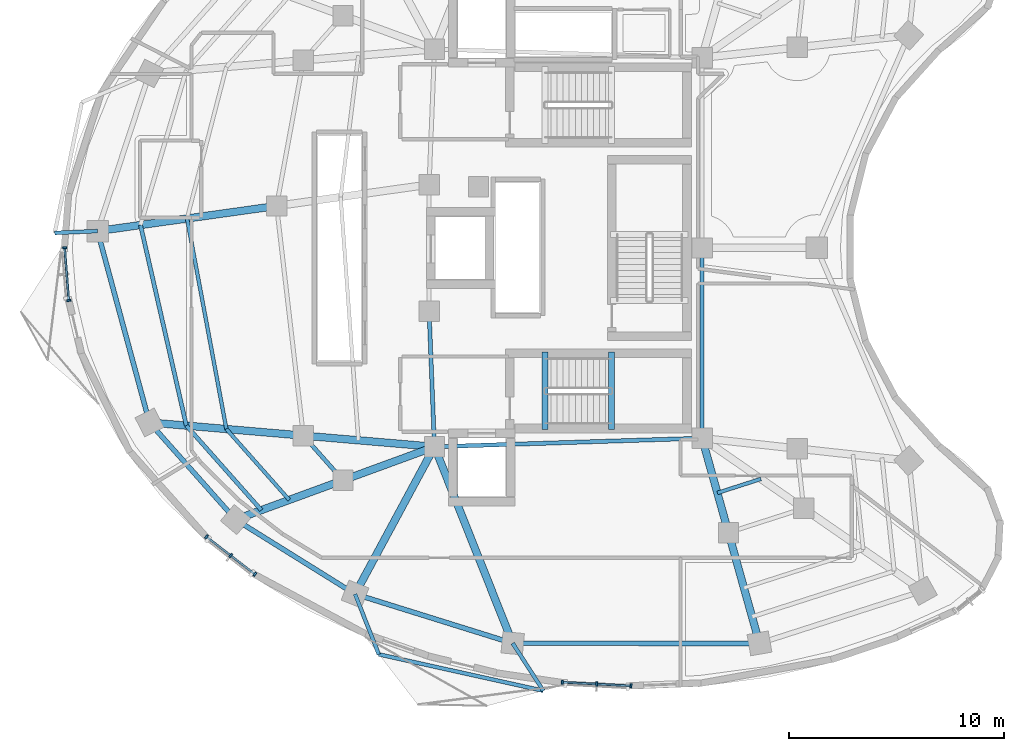
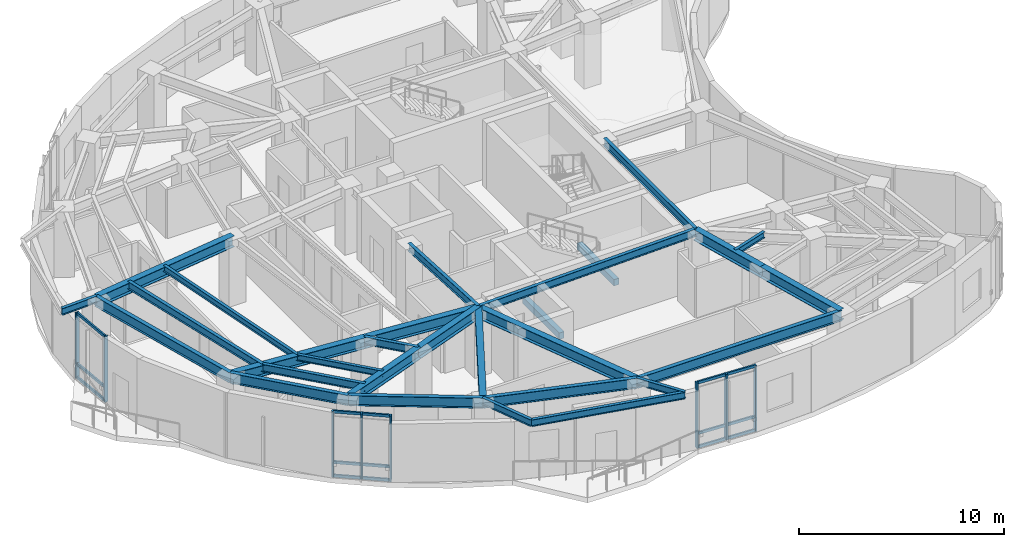
# One storey, part 2 of 13: 29 beams, 23 members, 3 elements without a shape of their own.
"""IFC4 building model written with IfcOpenShell, lengths in metres."""

import ifcopenshell
import ifcopenshell.guid

model = None  # the IFC model being written
_history = None  # IfcOwnerHistory: only IFC2X3 demands one
_inside = {}  # id of a spatial element -> (the spatial element, [elements in it])
_under = {}  # id of a project, library or spatial element -> (it, [spatial elements below it])
_declared = {}  # id of a project -> (the project, [libraries it declares])
_typed = {}  # id of a type object -> (the type object, [elements of that type])
_made_of = {}  # id of a material, layer set ... -> (it, [elements and type objects made of it])


def new_model(schema):
    """Start an empty IFC model of exactly this schema.

    Asked for "IFC4X3", IfcOpenShell would pick the latest addendum, in which some entities
    have other attributes; the version numbers below select the first issue.
    IFC2X3 requires an IfcOwnerHistory on every rooted entity: one is made here for all.
    """
    global model, _history
    if schema == "IFC4X3":
        model = ifcopenshell.file(schema_version=(4, 3, 0, 0))
    else:
        model = ifcopenshell.file(schema=schema)
    _inside.clear()
    _under.clear()
    _declared.clear()
    _typed.clear()
    _made_of.clear()
    _history = None
    if model.schema == "IFC2X3":
        org = make("IfcOrganization", Name="unknown")
        user = make(
            "IfcPersonAndOrganization",
            ThePerson=make("IfcPerson", FamilyName="unknown"),
            TheOrganization=org,
        )
        app = make(
            "IfcApplication",
            ApplicationDeveloper=org,
            Version="unknown",
            ApplicationFullName="unknown",
            ApplicationIdentifier="unknown",
        )
        _history = make(
            "IfcOwnerHistory",
            OwningUser=user,
            OwningApplication=app,
            ChangeAction="ADDED",
            CreationDate=0,
        )
    return model


def make(cls, **values):
    """One entity of the class cls with the attributes given. An attribute that is None is left unset."""
    return model.create_entity(
        cls, **{name: value for name, value in values.items() if value is not None}
    )


def rooted(cls, **values):
    """An entity with a GlobalId (a new one), such as an element, a storey or a relation."""
    return make(cls, GlobalId=ifcopenshell.guid.new(), OwnerHistory=_history, **values)


def si_unit(unit_type, name, prefix=None):
    """IfcSIUnit, for example si_unit("LENGTHUNIT", "METRE", prefix="MILLI")."""
    return make("IfcSIUnit", UnitType=unit_type, Prefix=prefix, Name=name)


def assignment(units):
    """IfcUnitAssignment: the units of a project."""
    return None if units is None else make("IfcUnitAssignment", Units=units)


def point(xyz):
    """IfcCartesianPoint."""
    return None if xyz is None else make("IfcCartesianPoint", Coordinates=xyz)


def direction(xyz):
    """IfcDirection."""
    return None if xyz is None else make("IfcDirection", DirectionRatios=xyz)


def frame(location, z_axis=None, x_axis=None):
    """IfcAxis2Placement3D, a coordinate frame: its origin and axes. An axis left out is left unset."""
    return make(
        "IfcAxis2Placement3D",
        Location=point(location),
        Axis=direction(z_axis),
        RefDirection=direction(x_axis),
    )


def frame_2d(location, x_axis=None):
    """IfcAxis2Placement2D, a coordinate frame in the plane: its origin and x axis."""
    return make(
        "IfcAxis2Placement2D", Location=point(location), RefDirection=direction(x_axis)
    )


def origin():
    """The frame at (0, 0, 0) with its axes left unset."""
    return frame((0.0, 0.0, 0.0))


def origin_2d():
    """The frame at (0, 0) in the plane with its x axis left unset."""
    return frame_2d((0.0, 0.0))


def place(relative_to, where):
    """IfcLocalPlacement: puts the frame where relative to a parent placement (None: the world)."""
    return make(
        "IfcLocalPlacement", PlacementRelTo=relative_to, RelativePlacement=where
    )


def context(
    kind, dimensions, precision=None, world=None, true_north=None, identifier=None
):
    """IfcGeometricRepresentationContext, for example the 3D "Model" context."""
    return make(
        "IfcGeometricRepresentationContext",
        ContextIdentifier=identifier,
        ContextType=kind,
        CoordinateSpaceDimension=dimensions,
        Precision=precision,
        WorldCoordinateSystem=world,
        TrueNorth=true_north,
    )


def subcontext(parent, identifier, kind, view, scale=None):
    """IfcGeometricRepresentationSubContext, for example "Body" below "Model"."""
    return make(
        "IfcGeometricRepresentationSubContext",
        ContextIdentifier=identifier,
        ContextType=kind,
        ParentContext=parent,
        TargetScale=scale,
        TargetView=view,
    )


def project(units=None, contexts=None):
    """IfcProject with its units and contexts."""
    return rooted(
        "IfcProject",
        Name="project",
        RepresentationContexts=contexts,
        UnitsInContext=assignment(units),
    )


def spatial(cls, under=None, at=None, **own):
    """A site, building, storey or space (cls), placed at a placement, below another one or the project."""
    s = rooted(cls, ObjectPlacement=at, **own)
    if under is not None:
        _under.setdefault(under.id(), (under, []))[1].append(s)
    return s


def profile(cls, at=None, kind="AREA", **sizes):
    """A parametric profile (cls). Its sizes go by their IFC names, for example OverallWidth=200.0."""
    return make(cls, ProfileType=kind, Position=at, **sizes)


def rectangle(**sizes):
    """IfcRectangleProfileDef."""
    return profile("IfcRectangleProfileDef", **sizes)


def i_section(**sizes):
    """IfcIShapeProfileDef."""
    return profile("IfcIShapeProfileDef", **sizes)


def extrude(swept, where, along, depth):
    """IfcExtrudedAreaSolid: the profile swept, set in the frame where, extruded along a direction by depth."""
    return make(
        "IfcExtrudedAreaSolid",
        SweptArea=swept,
        Position=where,
        ExtrudedDirection=direction(along),
        Depth=depth,
    )


def shape(context_of_items, identifier, shape_type, items):
    """IfcShapeRepresentation: the items that make up one representation, for example the "Body"."""
    return make(
        "IfcShapeRepresentation",
        ContextOfItems=context_of_items,
        RepresentationIdentifier=identifier,
        RepresentationType=shape_type,
        Items=items,
    )


def material(Name=None, Category=None):
    """IfcMaterial."""
    return make("IfcMaterial", Name=Name, Category=Category)


def layer(
    of_material, thickness, ventilated=None, Name=None, Category=None, Priority=None
):
    """IfcMaterialLayer: one layer of a wall or slab, of a material (None: an air gap)."""
    return make(
        "IfcMaterialLayer",
        Material=of_material,
        LayerThickness=thickness,
        IsVentilated=ventilated,
        Name=Name,
        Category=Category,
        Priority=Priority,
    )


def layer_set(layers, Name=None):
    """IfcMaterialLayerSet."""
    return make("IfcMaterialLayerSet", MaterialLayers=layers, LayerSetName=Name)


def material_profile(
    of_material, cross_section, Name=None, Category=None, Priority=None
):
    """IfcMaterialProfile: a cross section and its material."""
    return make(
        "IfcMaterialProfile",
        Name=Name,
        Material=of_material,
        Profile=cross_section,
        Priority=Priority,
        Category=Category,
    )


def profile_set(profiles, Name=None, composite=None):
    """IfcMaterialProfileSet."""
    return make(
        "IfcMaterialProfileSet",
        Name=Name,
        MaterialProfiles=profiles,
        CompositeProfile=composite,
    )


def made_of(thing, what):
    """Note that an element or type object is made of a material, layer set ...; save() writes the relation."""
    if what is not None:
        _made_of.setdefault(what.id(), (what, []))[1].append(thing)
    return thing


def type_object(cls, material=None, **own):
    """A type object (cls), such as IfcWallType, which elements share."""
    return made_of(rooted(cls, **own), material)


def element(
    cls,
    number,
    at=None,
    inside=None,
    cuts=None,
    type_object=None,
    material=None,
    context=None,
    identifier="Body",
    shape_type=None,
    held_by="IfcProductDefinitionShape",
    body=None,
    shapes=None,
    **own,
):
    """One element of the class cls, such as IfcWall. Its Tag is "e" and its number.

    at: its placement. inside: the storey or other place that contains it. cuts: it is an
    opening in that element (IfcRelVoidsElement). A single representation is given by context,
    identifier, shape_type and body (its items); several are given by shapes. held_by: the class
    of the entity that holds the representations. save() writes the other relations.
    """
    e = rooted(cls, Tag="e%d" % number, ObjectPlacement=at, **own)
    if body is not None:
        shapes = [shape(context, identifier, shape_type, body)]
    if shapes is not None:
        e.Representation = make(held_by, Representations=shapes)
    if inside is not None:
        _inside.setdefault(inside.id(), (inside, []))[1].append(e)
    if cuts is not None:
        rooted(
            "IfcRelVoidsElement", RelatingBuildingElement=cuts, RelatedOpeningElement=e
        )
    if type_object is not None:
        _typed.setdefault(type_object.id(), (type_object, []))[1].append(e)
    return made_of(e, material)


def aggregate(whole, parts):
    """IfcRelAggregates: a whole, such as a stair, and the parts it consists of."""
    return rooted("IfcRelAggregates", RelatingObject=whole, RelatedObjects=parts)


def save(model, path):
    """Write the relations noted so far, then the file.

    IfcRelAggregates (storeys below a building ...), IfcRelContainedInSpatialStructure (elements
    in a storey), IfcRelDefinesByType, IfcRelAssociatesMaterial and IfcRelDeclares: one each for
    every whole, place, type object, material and project.
    """
    for whole, parts in _under.values():
        aggregate(whole, parts)
    for where, things in _inside.values():
        rooted(
            "IfcRelContainedInSpatialStructure",
            RelatedElements=things,
            RelatingStructure=where,
        )
    for kind, things in _typed.values():
        rooted("IfcRelDefinesByType", RelatedObjects=things, RelatingType=kind)
    for what, things in _made_of.values():
        rooted("IfcRelAssociatesMaterial", RelatedObjects=things, RelatingMaterial=what)
    for by, libraries in _declared.values():
        rooted("IfcRelDeclares", RelatingContext=by, RelatedDefinitions=libraries)
    model.write(path)


model = new_model("IFC4")

# Units and contexts
model_context = context("Model", 3, precision=1e-05, world=origin(), true_north=direction((0.0, 1.0)))
body_context = subcontext(model_context, "Body", "Model", "MODEL_VIEW")
ifc_project = project(units=[si_unit("LENGTHUNIT", "METRE"), si_unit("AREAUNIT", "SQUARE_METRE"), si_unit("VOLUMEUNIT", "CUBIC_METRE"), si_unit("PLANEANGLEUNIT", "RADIAN"), si_unit("MASSUNIT", "GRAM", prefix="KILO")], contexts=[model_context])

# Site, building, storey
site_placement = place(None, origin())
site = spatial("IfcSite", under=ifc_project, at=site_placement, CompositionType="ELEMENT")
building_placement = place(site_placement, origin())
building = spatial("IfcBuilding", under=site, at=building_placement, Name="Korentha Bioscience Tower", CompositionType="ELEMENT")
storey_placement = place(building_placement, frame((0.0, 0.0, 175.199951171875)))
storey = spatial("IfcBuildingStorey", under=building, at=storey_placement, Name="L40", CompositionType="ELEMENT", Elevation=175.199951171875)

# Beams
ifc_material_1 = material(Name="Concrete C50", Category="concrete")
ifc_material_profile_1 = material_profile(ifc_material_1, rectangle(XDim=0.280029296875, YDim=0.3798828125, at=origin_2d()), Name="Concrete C50")
ifc_profile_set_1 = profile_set([ifc_material_profile_1], Name="Concrete C50 (ST-HB380)")
beam_type_1 = type_object("IfcBeamType", Name="Concrete Stair Header Beam RC 280x380", PredefinedType="BEAM", material=ifc_profile_set_1)
for number, where, z_axis, x_axis, name in (
    (1, (30.25, 18.550048828125, -0.18994140625), (0.0, 1.0, 0.0), (-1.0, 0.0, 0.0), "L40 ST-2 Concrete Stair Header Beam"),
    (2, (33.330078125, 18.550048828125, 1.91015625), (0.0, 1.0, 0.0), (-1.0, 0.0, 0.0), "L40 ST-2 Half-Landing Header Beam 1"),
):
    element("IfcBeam", number, at=place(storey_placement, frame(where, z_axis=z_axis, x_axis=x_axis)), inside=storey, type_object=beam_type_1, Name=name, PredefinedType="BEAM", context=body_context, shape_type="SweptSolid", body=[
        extrude(rectangle(XDim=0.280029296875, YDim=0.3798828125, at=origin_2d()), origin(), (0.0, 0.0, 1.0), 3.599853515625),
    ])
ifc_material_2 = material(Name="Steel S355", Category="steel")
ifc_material_profile_2 = material_profile(ifc_material_2, i_section(OverallWidth=0.18994140625, OverallDepth=0.45703125, WebThickness=0.009033203125, FlangeThickness=0.014404296875, at=origin_2d()), Name="Steel S355")
ifc_profile_set_2 = profile_set([ifc_material_profile_2], Name="Steel S355 (MB-460)")
beam_type_2 = type_object("IfcBeamType", Name="Mid-Ring Tie Girder W460x74", PredefinedType="BEAM", material=ifc_profile_set_2)
beam_1_placement = place(storey_placement, frame((18.99951171875, 18.27001953125, 3.671630859375), z_axis=(0.663512238321, -0.748165429299, 0.0), x_axis=(0.748165429299, 0.663512238321, 0.0)))
element("IfcBeam", 3, at=beam_1_placement, inside=storey, type_object=beam_type_2, Name="L40 Mid-Ring Tie Girder 08", PredefinedType="BEAM", context=body_context, shape_type="SweptSolid", body=[
    extrude(i_section(OverallWidth=0.18994140625, OverallDepth=0.45703125, WebThickness=0.009033203125, FlangeThickness=0.014404296875, at=origin_2d()), origin(), (0.0, 0.0, 1.0), 2.77734375),
])
beam_2_placement = place(storey_placement, frame((24.85009765625, 24.050048828125, 3.671630859375), z_axis=(0.039651025576, -0.999213588864, 0.0), x_axis=(0.999213588864, 0.039651025576, 0.0)))
element("IfcBeam", 4, at=beam_2_placement, inside=storey, type_object=beam_type_2, Name="L40 Core Ring Tie Girder 04", PredefinedType="BEAM", context=body_context, shape_type="SweptSolid", body=[
    extrude(i_section(OverallWidth=0.18994140625, OverallDepth=0.45703125, WebThickness=0.009033203125, FlangeThickness=0.014404296875, at=origin_2d()), origin(), (0.0, 0.0, 1.0), 6.304931640625),
])
beam_3_placement = place(storey_placement, frame((25.10009765625, 17.75, 3.671630859375), z_axis=(0.999484526071, 0.032104238723, 0.0), x_axis=(-0.032104238723, 0.999484526071, 0.0)))
element("IfcBeam", 5, at=beam_3_placement, inside=storey, type_object=beam_type_2, Name="L40 Core Ring Tie Girder 05", PredefinedType="BEAM", context=body_context, shape_type="SweptSolid", body=[
    extrude(i_section(OverallWidth=0.18994140625, OverallDepth=0.45703125, WebThickness=0.009033203125, FlangeThickness=0.014404296875, at=origin_2d()), origin(), (0.0, 0.0, 1.0), 12.456298828125),
])
beam_4_placement = place(storey_placement, frame((37.550048828125, 18.14990234375, 3.671630859375), z_axis=(0.0, 1.0, 0.0), x_axis=(-1.0, 0.0, 0.0)))
element("IfcBeam", 6, at=beam_4_placement, inside=storey, type_object=beam_type_2, Name="L40 Core Ring Tie Girder 06", PredefinedType="BEAM", context=body_context, shape_type="SweptSolid", body=[
    extrude(i_section(OverallWidth=0.18994140625, OverallDepth=0.45703125, WebThickness=0.009033203125, FlangeThickness=0.014404296875, at=origin_2d()), origin(), (0.0, 0.0, 1.0), 8.85009765625),
])

# Curtain wall, members
ifc_material_3 = material(Name="Thermally Broken Aluminium Frame", Category="aluminium")
ifc_layer = layer(ifc_material_3, 0.219970703125, Name="Thermally Broken Aluminium Frame")
ifc_layer_set = layer_set([ifc_layer], Name="Thermally Broken Aluminium Frame (CW-T2)")
curtain_wall_type = type_object("IfcCurtainWallType", Name="Solar-Screened Lab Unitised Curtain Wall CW-T2", PredefinedType="USERDEFINED", material=ifc_layer_set)
curtain_wall_1_placement = place(storey_placement, origin())
curtain_wall_1 = element("IfcCurtainWall", 7, at=curtain_wall_1_placement, inside=storey, type_object=curtain_wall_type, Name="L40 Curtain Wall 19", ObjectType="UNITISED", PredefinedType="USERDEFINED")
ifc_material_4 = material(Name="Anodised Aluminium 6063-T6", Category="aluminium")
ifc_material_profile_3 = material_profile(ifc_material_4, rectangle(XDim=0.090087890625, YDim=0.199951171875, at=origin_2d()), Name="Anodised Aluminium 6063-T6")
ifc_profile_set_3 = profile_set([ifc_material_profile_3], Name="Anodised Aluminium 6063-T6 (CW-MUL)")
member_type_1 = type_object("IfcMemberType", Name="Mullion RECT 90x200", PredefinedType="MULLION", material=ifc_profile_set_3)
member_1_placement = place(storey_placement, frame((7.89599609375, 27.007568359375, 0.0), z_axis=(0.0, 0.0, 1.0), x_axis=(0.078030772566, -0.996950950916, 0.0)))
member_1 = element("IfcMember", 8, at=member_1_placement, type_object=member_type_1, Name="CW-L40-19 Mullion 1", PredefinedType="MULLION", context=body_context, shape_type="SweptSolid", body=[
    extrude(rectangle(XDim=0.090087890625, YDim=0.199951171875, at=origin_2d()), origin(), (0.0, 0.0, 1.0), 3.900146484375),
])
member_2_placement = place(storey_placement, frame((8.087890625, 24.5546875, 0.0), z_axis=(0.0, 0.0, 1.0), x_axis=(0.078030772566, -0.996950950916, 0.0)))
member_2 = element("IfcMember", 9, at=member_2_placement, type_object=member_type_1, Name="CW-L40-19 Mullion 2", PredefinedType="MULLION", context=body_context, shape_type="SweptSolid", body=[
    extrude(rectangle(XDim=0.090087890625, YDim=0.199951171875, at=origin_2d()), origin(), (0.0, 0.0, 1.0), 3.900146484375),
])

curtain_wall_2_placement = place(storey_placement, origin())
curtain_wall_2 = element("IfcCurtainWall", 10, at=curtain_wall_2_placement, inside=storey, type_object=curtain_wall_type, Name="L40 Curtain Wall 25", ObjectType="UNITISED", PredefinedType="USERDEFINED")
member_3_placement = place(storey_placement, frame((14.492431640625, 13.563232421875, 0.0), z_axis=(0.0, 0.0, 1.0), x_axis=(0.790546796919, -0.612401634454, 0.0)))
member_3 = element("IfcMember", 11, at=member_3_placement, type_object=member_type_1, Name="CW-L40-25 Mullion 1", PredefinedType="MULLION", context=body_context, shape_type="SweptSolid", body=[
    extrude(rectangle(XDim=0.090087890625, YDim=0.199951171875, at=origin_2d()), origin(), (0.0, 0.0, 1.0), 3.900146484375),
])
member_4_placement = place(storey_placement, frame((15.618896484375, 12.690673828125, 0.0), z_axis=(0.0, 0.0, 1.0), x_axis=(0.790546796919, -0.612401634454, 0.0)))
member_4 = element("IfcMember", 12, at=member_4_placement, type_object=member_type_1, Name="CW-L40-25 Mullion 2", PredefinedType="MULLION", context=body_context, shape_type="SweptSolid", body=[
    extrude(rectangle(XDim=0.090087890625, YDim=0.199951171875, at=origin_2d()), origin(), (0.0, 0.0, 1.0), 3.900146484375),
])
member_5_placement = place(storey_placement, frame((16.745361328125, 11.818115234375, 0.0), z_axis=(0.0, 0.0, 1.0), x_axis=(0.790546796919, -0.612401634454, 0.0)))
member_5 = element("IfcMember", 13, at=member_5_placement, type_object=member_type_1, Name="CW-L40-25 Mullion 3", PredefinedType="MULLION", context=body_context, shape_type="SweptSolid", body=[
    extrude(rectangle(XDim=0.090087890625, YDim=0.199951171875, at=origin_2d()), origin(), (0.0, 0.0, 1.0), 3.900146484375),
])

curtain_wall_3_placement = place(storey_placement, origin())
curtain_wall_3 = element("IfcCurtainWall", 14, at=curtain_wall_3_placement, inside=storey, type_object=curtain_wall_type, Name="L40 Curtain Wall 31", ObjectType="UNITISED", PredefinedType="USERDEFINED")
member_6_placement = place(storey_placement, frame((31.0517578125, 6.79541015625, 0.0), z_axis=(0.0, 0.0, 1.0), x_axis=(0.998637677307, -0.052180355139, 0.0)))
member_6 = element("IfcMember", 15, at=member_6_placement, type_object=member_type_1, Name="CW-L40-31 Mullion 1", PredefinedType="MULLION", context=body_context, shape_type="SweptSolid", body=[
    extrude(rectangle(XDim=0.090087890625, YDim=0.199951171875, at=origin_2d()), origin(), (0.0, 0.0, 1.0), 3.900146484375),
])
member_7_placement = place(storey_placement, frame((32.64794921875, 6.7119140625, 0.0), z_axis=(0.0, 0.0, 1.0), x_axis=(0.998637677307, -0.052180355139, 0.0)))
member_7 = element("IfcMember", 16, at=member_7_placement, type_object=member_type_1, Name="CW-L40-31 Mullion 2", PredefinedType="MULLION", context=body_context, shape_type="SweptSolid", body=[
    extrude(rectangle(XDim=0.090087890625, YDim=0.199951171875, at=origin_2d()), origin(), (0.0, 0.0, 1.0), 3.900146484375),
])
member_8_placement = place(storey_placement, frame((34.244140625, 6.628662109375, 0.0), z_axis=(0.0, 0.0, 1.0), x_axis=(0.998637677307, -0.052180355139, 0.0)))
member_8 = element("IfcMember", 17, at=member_8_placement, type_object=member_type_1, Name="CW-L40-31 Mullion 3", PredefinedType="MULLION", context=body_context, shape_type="SweptSolid", body=[
    extrude(rectangle(XDim=0.090087890625, YDim=0.199951171875, at=origin_2d()), origin(), (0.0, 0.0, 1.0), 3.900146484375),
])

# Beams
ifc_material_profile_4 = material_profile(ifc_material_2, i_section(OverallWidth=0.22802734375, OverallDepth=0.60791015625, WebThickness=0.01123046875, FlangeThickness=0.017333984375, at=origin_2d()), Name="Steel S355")
ifc_profile_set_4 = profile_set([ifc_material_profile_4], Name="Steel S355 (SB-610)")
beam_type_3 = type_object("IfcBeamType", Name="Perimeter Ring Spandrel Girder W610x113", PredefinedType="SPANDREL", material=ifc_profile_set_4)
beam_5_placement = place(storey_placement, frame((9.422607421875, 27.785888671875, 3.595947265625), z_axis=(0.261762629829, -0.965132284003, 0.0), x_axis=(0.965132284003, 0.261762629829, 0.0)))
element("IfcBeam", 18, at=beam_5_placement, inside=storey, type_object=beam_type_3, Name="L40 Perimeter Spandrel Girder 07", PredefinedType="SPANDREL", context=body_context, shape_type="SweptSolid", body=[
    extrude(i_section(OverallWidth=0.22802734375, OverallDepth=0.60791015625, WebThickness=0.01123046875, FlangeThickness=0.017333984375, at=origin_2d()), origin(), (0.0, 0.0, 1.0), 9.22705078125),
])
beam_6_placement = place(storey_placement, frame((11.837890625, 18.880615234375, 3.595947265625), z_axis=(0.663502544942, -0.748174025782, 0.0), x_axis=(0.748174025782, 0.663502544942, 0.0)))
element("IfcBeam", 19, at=beam_6_placement, inside=storey, type_object=beam_type_3, Name="L40 Perimeter Spandrel Girder 08", PredefinedType="SPANDREL", context=body_context, shape_type="SweptSolid", body=[
    extrude(i_section(OverallWidth=0.22802734375, OverallDepth=0.60791015625, WebThickness=0.01123046875, FlangeThickness=0.017333984375, at=origin_2d()), origin(), (0.0, 0.0, 1.0), 6.037841796875),
])
beam_7_placement = place(storey_placement, frame((15.843994140625, 14.36328125, 3.595947265625), z_axis=(0.848675740059, -0.528913497876, 0.0), x_axis=(0.528913497876, 0.848675740059, 0.0)))
element("IfcBeam", 20, at=beam_7_placement, inside=storey, type_object=beam_type_3, Name="L40 Perimeter Spandrel Girder 09", PredefinedType="SPANDREL", context=body_context, shape_type="SweptSolid", body=[
    extrude(i_section(OverallWidth=0.22802734375, OverallDepth=0.60791015625, WebThickness=0.01123046875, FlangeThickness=0.017333984375, at=origin_2d()), origin(), (0.0, 0.0, 1.0), 6.55322265625),
])
beam_8_placement = place(storey_placement, frame((21.405517578125, 10.897216796875, 3.595947265625), z_axis=(0.954638172607, -0.29776829818, 0.0), x_axis=(0.29776829818, 0.954638172607, 0.0)))
element("IfcBeam", 21, at=beam_8_placement, inside=storey, type_object=beam_type_3, Name="L40 Perimeter Spandrel Girder 10", PredefinedType="SPANDREL", context=body_context, shape_type="SweptSolid", body=[
    extrude(i_section(OverallWidth=0.22802734375, OverallDepth=0.60791015625, WebThickness=0.01123046875, FlangeThickness=0.017333984375, at=origin_2d()), origin(), (0.0, 0.0, 1.0), 7.682373046875),
])
beam_9_placement = place(storey_placement, frame((28.739501953125, 8.609619140625, 3.595947265625), z_axis=(0.99999988041, -0.000489059883, 0.0), x_axis=(0.000489059883, 0.99999988041, 0.0)))
element("IfcBeam", 22, at=beam_9_placement, inside=storey, type_object=beam_type_3, Name="L40 Perimeter Spandrel Girder 11", PredefinedType="SPANDREL", context=body_context, shape_type="SweptSolid", body=[
    extrude(i_section(OverallWidth=0.22802734375, OverallDepth=0.60791015625, WebThickness=0.01123046875, FlangeThickness=0.017333984375, at=origin_2d()), origin(), (0.0, 0.0, 1.0), 11.481689453125),
])
ifc_material_profile_5 = material_profile(ifc_material_2, i_section(OverallWidth=0.18994140625, OverallDepth=0.45703125, WebThickness=0.009033203125, FlangeThickness=0.014404296875, at=origin_2d()), Name="Steel S355")
ifc_profile_set_5 = profile_set([ifc_material_profile_5], Name="Steel S355 (RB-460)")
beam_type_4 = type_object("IfcBeamType", Name="Radial Laboratory Beam W460x74", PredefinedType="BEAM", material=ifc_profile_set_5)
beam_10_placement = place(storey_placement, frame((11.421875, 28.06640625, 3.671630859375), z_axis=(0.222990987745, -0.974820506239, 0.0), x_axis=(0.974820506239, 0.222990987745, 0.0)))
element("IfcBeam", 23, at=beam_10_placement, inside=storey, type_object=beam_type_4, Name="L40 Secondary Floor Beam JSTO-07", PredefinedType="BEAM", context=body_context, shape_type="SweptSolid", body=[
    extrude(i_section(OverallWidth=0.18994140625, OverallDepth=0.45703125, WebThickness=0.009033203125, FlangeThickness=0.014404296875, at=origin_2d()), origin(), (0.0, 0.0, 1.0), 9.5732421875),
])
beam_11_placement = place(storey_placement, frame((13.556640625, 18.734130859375, 3.671630859375), z_axis=(0.663495511182, -0.748180263467, 0.0), x_axis=(0.748180263467, 0.663495511182, 0.0)))
element("IfcBeam", 24, at=beam_11_placement, inside=storey, type_object=beam_type_4, Name="L40 Secondary Floor Beam JSTO-08", PredefinedType="BEAM", context=body_context, shape_type="SweptSolid", body=[
    extrude(i_section(OverallWidth=0.18994140625, OverallDepth=0.45703125, WebThickness=0.009033203125, FlangeThickness=0.014404296875, at=origin_2d()), origin(), (0.0, 0.0, 1.0), 5.255615234375),
])
ifc_material_profile_6 = material_profile(ifc_material_2, i_section(OverallWidth=0.35009765625, OverallDepth=0.64990234375, WebThickness=0.01611328125, FlangeThickness=0.02490234375, at=origin_2d()), Name="Steel S355")
ifc_profile_set_6 = profile_set([ifc_material_profile_6], Name="Steel S355 (RB-650)")
beam_type_5 = type_object("IfcBeamType", Name="Radial Laboratory Girder CVS 650x208", PredefinedType="BEAM", material=ifc_profile_set_6)
beam_12_placement = place(storey_placement, frame((17.75341796875, 28.95458984375, 3.574951171875), z_axis=(-0.990302735089, -0.138926213782, 0.0), x_axis=(0.138926213782, -0.990302735089, 0.0)))
element("IfcBeam", 25, at=beam_12_placement, inside=storey, type_object=beam_type_5, Name="L40 Outer Radial Girder 07", PredefinedType="BEAM", context=body_context, shape_type="SweptSolid", body=[
    extrude(i_section(OverallWidth=0.35009765625, OverallDepth=0.64990234375, WebThickness=0.01611328125, FlangeThickness=0.02490234375, at=origin_2d()), origin(), (0.0, 0.0, 1.0), 8.412353515625),
])
beam_13_placement = place(storey_placement, frame((25.10009765625, 17.75, 3.574951171875), z_axis=(-0.996386672138, 0.084932912264, 0.0), x_axis=(-0.084932912264, -0.996386672138, 0.0)))
element("IfcBeam", 26, at=beam_13_placement, inside=storey, type_object=beam_type_5, Name="L40 Inner Radial Girder 08", PredefinedType="BEAM", context=body_context, shape_type="SweptSolid", body=[
    extrude(i_section(OverallWidth=0.35009765625, OverallDepth=0.64990234375, WebThickness=0.01611328125, FlangeThickness=0.02490234375, at=origin_2d()), origin(), (0.0, 0.0, 1.0), 6.122802734375),
])
beam_14_placement = place(storey_placement, frame((18.99951171875, 18.27001953125, 3.574951171875), z_axis=(-0.996385111181, 0.084951222577, 0.0), x_axis=(-0.084951222577, -0.996385111181, 0.0)))
element("IfcBeam", 27, at=beam_14_placement, inside=storey, type_object=beam_type_5, Name="L40 Outer Radial Girder 08", PredefinedType="BEAM", context=body_context, shape_type="SweptSolid", body=[
    extrude(i_section(OverallWidth=0.35009765625, OverallDepth=0.64990234375, WebThickness=0.01611328125, FlangeThickness=0.02490234375, at=origin_2d()), origin(), (0.0, 0.0, 1.0), 7.1875),
])
beam_15_placement = place(storey_placement, frame((25.10009765625, 17.75, 3.574951171875), z_axis=(-0.939113952431, -0.343605856105, 0.0), x_axis=(0.343605856105, -0.939113952431, 0.0)))
element("IfcBeam", 28, at=beam_15_placement, inside=storey, type_object=beam_type_5, Name="L40 Inner Radial Girder 09", PredefinedType="BEAM", context=body_context, shape_type="SweptSolid", body=[
    extrude(i_section(OverallWidth=0.35009765625, OverallDepth=0.64990234375, WebThickness=0.01611328125, FlangeThickness=0.02490234375, at=origin_2d()), origin(), (0.0, 0.0, 1.0), 4.533935546875),
])
beam_16_placement = place(storey_placement, frame((20.84228515625, 16.192138671875, 3.574951171875), z_axis=(-0.939109855566, -0.343617053097, 0.0), x_axis=(0.343617053097, -0.939109855566, 0.0)))
element("IfcBeam", 29, at=beam_16_placement, inside=storey, type_object=beam_type_5, Name="L40 Outer Radial Girder 09", PredefinedType="BEAM", context=body_context, shape_type="SweptSolid", body=[
    extrude(i_section(OverallWidth=0.35009765625, OverallDepth=0.64990234375, WebThickness=0.01611328125, FlangeThickness=0.02490234375, at=origin_2d()), origin(), (0.0, 0.0, 1.0), 5.322265625),
])
beam_17_placement = place(storey_placement, frame((25.10009765625, 17.75, 3.574951171875), z_axis=(-0.474559790141, -0.880223270302, 0.0), x_axis=(0.880223270302, -0.474559790141, 0.0)))
element("IfcBeam", 30, at=beam_17_placement, inside=storey, type_object=beam_type_5, Name="L40 Radial Girder 10", PredefinedType="BEAM", context=body_context, shape_type="SweptSolid", body=[
    extrude(i_section(OverallWidth=0.35009765625, OverallDepth=0.64990234375, WebThickness=0.01611328125, FlangeThickness=0.02490234375, at=origin_2d()), origin(), (0.0, 0.0, 1.0), 7.785400390625),
])
beam_18_placement = place(storey_placement, frame((25.10009765625, 17.75, 3.574951171875), z_axis=(0.369922682955, -0.929062542909, 0.0), x_axis=(0.929062542909, 0.369922682955, 0.0)))
element("IfcBeam", 31, at=beam_18_placement, inside=storey, type_object=beam_type_5, Name="L40 Radial Girder 11", PredefinedType="BEAM", context=body_context, shape_type="SweptSolid", body=[
    extrude(i_section(OverallWidth=0.35009765625, OverallDepth=0.64990234375, WebThickness=0.01611328125, FlangeThickness=0.02490234375, at=origin_2d()), origin(), (0.0, 0.0, 1.0), 9.83837890625),
])
beam_19_placement = place(storey_placement, frame((37.550048828125, 18.14990234375, 3.574951171875), z_axis=(0.269477001654, -0.963006825303, 0.0), x_axis=(0.963006825303, 0.269477001654, 0.0)))
element("IfcBeam", 32, at=beam_19_placement, inside=storey, type_object=beam_type_5, Name="L40 Inner Radial Girder 12", PredefinedType="BEAM", context=body_context, shape_type="SweptSolid", body=[
    extrude(i_section(OverallWidth=0.35009765625, OverallDepth=0.64990234375, WebThickness=0.01611328125, FlangeThickness=0.02490234375, at=origin_2d()), origin(), (0.0, 0.0, 1.0), 4.559814453125),
])
beam_20_placement = place(storey_placement, frame((38.77880859375, 13.7587890625, 3.574951171875), z_axis=(0.269464128344, -0.963010427532, 0.0), x_axis=(0.963010427532, 0.269464128344, 0.0)))
element("IfcBeam", 33, at=beam_20_placement, inside=storey, type_object=beam_type_5, Name="L40 Outer Radial Girder 12", PredefinedType="BEAM", context=body_context, shape_type="SweptSolid", body=[
    extrude(i_section(OverallWidth=0.35009765625, OverallDepth=0.64990234375, WebThickness=0.01611328125, FlangeThickness=0.02490234375, at=origin_2d()), origin(), (0.0, 0.0, 1.0), 5.352783203125),
])
ifc_material_profile_7 = material_profile(ifc_material_2, i_section(OverallWidth=0.1708984375, OverallDepth=0.35498046875, WebThickness=0.007080078125, FlangeThickness=0.01171875, at=origin_2d()), Name="Steel S355")
ifc_profile_set_7 = profile_set([ifc_material_profile_7], Name="Steel S355 (JB-360)")
beam_type_6 = type_object("IfcBeamType", Name="Secondary Laboratory Joist W360x51", PredefinedType="JOIST", material=ifc_profile_set_7)
beam_21_placement = place(storey_placement, frame((13.587890625, 28.3701171875, 3.72265625), z_axis=(0.183736713841, -0.982975493076, 0.0), x_axis=(0.982975493076, 0.183736713841, 0.0)))
element("IfcBeam", 34, at=beam_21_placement, inside=storey, type_object=beam_type_6, Name="L40 Secondary Floor Beam JST-07", PredefinedType="JOIST", context=body_context, shape_type="SweptSolid", body=[
    extrude(i_section(OverallWidth=0.1708984375, OverallDepth=0.35498046875, WebThickness=0.007080078125, FlangeThickness=0.01171875, at=origin_2d()), origin(), (0.0, 0.0, 1.0), 9.96435546875),
])
beam_22_placement = place(storey_placement, frame((15.418701171875, 18.575439453125, 3.72265625), z_axis=(0.663462598754, -0.748209449322, 0.0), x_axis=(0.748209449322, 0.663462598754, 0.0)))
element("IfcBeam", 35, at=beam_22_placement, inside=storey, type_object=beam_type_6, Name="L40 Secondary Floor Beam JST-08", PredefinedType="JOIST", context=body_context, shape_type="SweptSolid", body=[
    extrude(i_section(OverallWidth=0.1708984375, OverallDepth=0.35498046875, WebThickness=0.007080078125, FlangeThickness=0.01171875, at=origin_2d()), origin(), (0.0, 0.0, 1.0), 4.40771484375),
])
beam_23_placement = place(storey_placement, frame((38.2626953125, 15.60302734375, 3.72265625), z_axis=(0.952010669267, 0.306064838885, 0.0), x_axis=(-0.306064838885, 0.952010669267, 0.0)))
element("IfcBeam", 36, at=beam_23_placement, inside=storey, type_object=beam_type_6, Name="L40 Inner Bay Joist 12", PredefinedType="JOIST", context=body_context, shape_type="SweptSolid", body=[
    extrude(i_section(OverallWidth=0.1708984375, OverallDepth=0.35498046875, WebThickness=0.007080078125, FlangeThickness=0.01171875, at=origin_2d()), origin(), (0.0, 0.0, 1.0), 2.1298828125),
])
ifc_material_profile_8 = material_profile(ifc_material_2, i_section(OverallWidth=0.177978515625, OverallDepth=0.406982421875, WebThickness=0.0078125, FlangeThickness=0.0126953125, at=origin_2d()), Name="Steel S355")
ifc_profile_set_8 = profile_set([ifc_material_profile_8], Name="Steel S355 (CB-410)")
beam_type_7 = type_object("IfcBeamType", Name="Sun-Ledge Cantilever Beam W410x60", PredefinedType="BEAM", material=ifc_profile_set_8)
beam_24_placement = place(storey_placement, frame((9.422607421875, 27.785888671875, 3.698486328125), z_axis=(-0.999054077137, -0.043485065888, 0.0), x_axis=(0.043485065888, -0.999054077137, 0.0)))
element("IfcBeam", 37, at=beam_24_placement, inside=storey, type_object=beam_type_7, Name="L40 Balcony Cantilever Bracket B-L41-02", PredefinedType="BEAM", context=body_context, shape_type="SweptSolid", body=[
    extrude(i_section(OverallWidth=0.177978515625, OverallDepth=0.406982421875, WebThickness=0.0078125, FlangeThickness=0.0126953125, at=origin_2d()), origin(), (0.0, 0.0, 1.0), 1.9931640625),
])
beam_25_placement = place(storey_placement, frame((21.405517578125, 10.897216796875, 3.698486328125), z_axis=(0.366329003488, -0.930485390107, 0.0), x_axis=(0.930485390107, 0.366329003488, 0.0)))
element("IfcBeam", 38, at=beam_25_placement, inside=storey, type_object=beam_type_7, Name="L40 Balcony Cantilever Bracket A-L41-03", PredefinedType="BEAM", context=body_context, shape_type="SweptSolid", body=[
    extrude(i_section(OverallWidth=0.177978515625, OverallDepth=0.406982421875, WebThickness=0.0078125, FlangeThickness=0.0126953125, at=origin_2d()), origin(), (0.0, 0.0, 1.0), 3.013671875),
])
beam_26_placement = place(storey_placement, frame((28.739501953125, 8.609619140625, 3.698486328125), z_axis=(0.541648853106, -0.84060485362, 0.0), x_axis=(0.84060485362, 0.541648853106, 0.0)))
element("IfcBeam", 39, at=beam_26_placement, inside=storey, type_object=beam_type_7, Name="L40 Balcony Cantilever Bracket B-L41-03", PredefinedType="BEAM", context=body_context, shape_type="SweptSolid", body=[
    extrude(i_section(OverallWidth=0.177978515625, OverallDepth=0.406982421875, WebThickness=0.0078125, FlangeThickness=0.0126953125, at=origin_2d()), origin(), (0.0, 0.0, 1.0), 2.629638671875),
])
beam_27_placement = place(storey_placement, frame((22.509521484375, 8.093017578125, 3.698486328125), z_axis=(0.976378662051, -0.21606644416, 0.0), x_axis=(0.21606644416, 0.976378662051, 0.0)))
element("IfcBeam", 40, at=beam_27_placement, inside=storey, type_object=beam_type_7, Name="L40 Balcony Edge Trimmer Beam L41-03", PredefinedType="BEAM", context=body_context, shape_type="SweptSolid", body=[
    extrude(i_section(OverallWidth=0.177978515625, OverallDepth=0.406982421875, WebThickness=0.0078125, FlangeThickness=0.0126953125, at=origin_2d()), origin(), (0.0, 0.0, 1.0), 7.83935546875),
])

# Member
ifc_material_profile_9 = material_profile(ifc_material_4, rectangle(XDim=0.090087890625, YDim=0.159912109375, at=origin_2d()), Name="Anodised Aluminium 6063-T6")
ifc_profile_set_9 = profile_set([ifc_material_profile_9], Name="Anodised Aluminium 6063-T6 (CW-TRN)")
member_type_2 = type_object("IfcMemberType", Name="Transom RECT 90x160", PredefinedType="USERDEFINED", material=ifc_profile_set_9)
member_9_placement = place(storey_placement, frame((7.8994140625, 26.962646484375, 0.045166015625), z_axis=(0.078074822466, -0.996947502177, 0.0), x_axis=(0.996947502177, 0.078074822466, 0.0)))
member_9 = element("IfcMember", 41, at=member_9_placement, type_object=member_type_2, Name="CW-L40-19 Bay 1 Transom 1", ObjectType="TRANSOM", PredefinedType="USERDEFINED", context=body_context, shape_type="SweptSolid", body=[
    extrude(rectangle(XDim=0.090087890625, YDim=0.159912109375, at=origin_2d()), origin(), (0.0, 0.0, 1.0), 2.370361328125),
])

member_10_placement = place(storey_placement, frame((7.8994140625, 26.962646484375, 0.85009765625), z_axis=(0.078074822466, -0.996947502177, 0.0), x_axis=(0.996947502177, 0.078074822466, 0.0)))
member_10 = element("IfcMember", 42, at=member_10_placement, type_object=member_type_2, Name="CW-L40-19 Bay 1 Transom 2", ObjectType="TRANSOM", PredefinedType="USERDEFINED", context=body_context, shape_type="SweptSolid", body=[
    extrude(rectangle(XDim=0.090087890625, YDim=0.159912109375, at=origin_2d()), origin(), (0.0, 0.0, 1.0), 2.370361328125),
])

member_11_placement = place(storey_placement, frame((7.8994140625, 26.962646484375, 3.85498046875), z_axis=(0.078074822466, -0.996947502177, 0.0), x_axis=(0.996947502177, 0.078074822466, 0.0)))
member_11 = element("IfcMember", 43, at=member_11_placement, type_object=member_type_2, Name="CW-L40-19 Bay 1 Transom 3", ObjectType="TRANSOM", PredefinedType="USERDEFINED", context=body_context, shape_type="SweptSolid", body=[
    extrude(rectangle(XDim=0.090087890625, YDim=0.159912109375, at=origin_2d()), origin(), (0.0, 0.0, 1.0), 2.370361328125),
])

aggregate(curtain_wall_1, [member_1, member_2, member_9, member_10, member_11])

member_12_placement = place(storey_placement, frame((14.528076171875, 13.535888671875, 0.045166015625), z_axis=(0.790463754503, -0.612508818563, 0.0), x_axis=(0.612508818563, 0.790463754503, 0.0)))
member_12 = element("IfcMember", 44, at=member_12_placement, type_object=member_type_2, Name="CW-L40-25 Bay 1 Transom 1", ObjectType="TRANSOM", PredefinedType="USERDEFINED", context=body_context, shape_type="SweptSolid", body=[
    extrude(rectangle(XDim=0.090087890625, YDim=0.159912109375, at=origin_2d()), origin(), (0.0, 0.0, 1.0), 1.3349609375),
])

member_13_placement = place(storey_placement, frame((14.528076171875, 13.535888671875, 0.85009765625), z_axis=(0.790463754503, -0.612508818563, 0.0), x_axis=(0.612508818563, 0.790463754503, 0.0)))
member_13 = element("IfcMember", 45, at=member_13_placement, type_object=member_type_2, Name="CW-L40-25 Bay 1 Transom 2", ObjectType="TRANSOM", PredefinedType="USERDEFINED", context=body_context, shape_type="SweptSolid", body=[
    extrude(rectangle(XDim=0.090087890625, YDim=0.159912109375, at=origin_2d()), origin(), (0.0, 0.0, 1.0), 1.3349609375),
])

member_14_placement = place(storey_placement, frame((14.528076171875, 13.535888671875, 3.85498046875), z_axis=(0.790463754503, -0.612508818563, 0.0), x_axis=(0.612508818563, 0.790463754503, 0.0)))
member_14 = element("IfcMember", 46, at=member_14_placement, type_object=member_type_2, Name="CW-L40-25 Bay 1 Transom 3", ObjectType="TRANSOM", PredefinedType="USERDEFINED", context=body_context, shape_type="SweptSolid", body=[
    extrude(rectangle(XDim=0.090087890625, YDim=0.159912109375, at=origin_2d()), origin(), (0.0, 0.0, 1.0), 1.3349609375),
])

member_15_placement = place(storey_placement, frame((15.654541015625, 12.6630859375, 0.045166015625), z_axis=(0.79055230676, -0.612394521756, 0.0), x_axis=(0.612394521756, 0.79055230676, 0.0)))
member_15 = element("IfcMember", 47, at=member_15_placement, type_object=member_type_2, Name="CW-L40-25 Bay 2 Transom 1", ObjectType="TRANSOM", PredefinedType="USERDEFINED", context=body_context, shape_type="SweptSolid", body=[
    extrude(rectangle(XDim=0.090087890625, YDim=0.159912109375, at=origin_2d()), origin(), (0.0, 0.0, 1.0), 1.334716796875),
])

member_16_placement = place(storey_placement, frame((15.654541015625, 12.6630859375, 0.85009765625), z_axis=(0.79055230676, -0.612394521756, 0.0), x_axis=(0.612394521756, 0.79055230676, 0.0)))
member_16 = element("IfcMember", 48, at=member_16_placement, type_object=member_type_2, Name="CW-L40-25 Bay 2 Transom 2", ObjectType="TRANSOM", PredefinedType="USERDEFINED", context=body_context, shape_type="SweptSolid", body=[
    extrude(rectangle(XDim=0.090087890625, YDim=0.159912109375, at=origin_2d()), origin(), (0.0, 0.0, 1.0), 1.334716796875),
])

member_17_placement = place(storey_placement, frame((15.654541015625, 12.6630859375, 3.85498046875), z_axis=(0.79055230676, -0.612394521756, 0.0), x_axis=(0.612394521756, 0.79055230676, 0.0)))
member_17 = element("IfcMember", 49, at=member_17_placement, type_object=member_type_2, Name="CW-L40-25 Bay 2 Transom 3", ObjectType="TRANSOM", PredefinedType="USERDEFINED", context=body_context, shape_type="SweptSolid", body=[
    extrude(rectangle(XDim=0.090087890625, YDim=0.159912109375, at=origin_2d()), origin(), (0.0, 0.0, 1.0), 1.334716796875),
])

aggregate(curtain_wall_2, [member_3, member_4, member_5, member_12, member_13, member_14, member_15, member_16, member_17])

member_18_placement = place(storey_placement, frame((31.0966796875, 6.793212890625, 0.045166015625), z_axis=(0.998632544532, -0.052278494633, 0.0), x_axis=(0.052278494633, 0.998632544532, 0.0)))
member_18 = element("IfcMember", 50, at=member_18_placement, type_object=member_type_2, Name="CW-L40-31 Bay 1 Transom 1", ObjectType="TRANSOM", PredefinedType="USERDEFINED", context=body_context, shape_type="SweptSolid", body=[
    extrude(rectangle(XDim=0.090087890625, YDim=0.159912109375, at=origin_2d()), origin(), (0.0, 0.0, 1.0), 1.50830078125),
])

member_19_placement = place(storey_placement, frame((31.0966796875, 6.793212890625, 0.85009765625), z_axis=(0.998632544532, -0.052278494633, 0.0), x_axis=(0.052278494633, 0.998632544532, 0.0)))
member_19 = element("IfcMember", 51, at=member_19_placement, type_object=member_type_2, Name="CW-L40-31 Bay 1 Transom 2", ObjectType="TRANSOM", PredefinedType="USERDEFINED", context=body_context, shape_type="SweptSolid", body=[
    extrude(rectangle(XDim=0.090087890625, YDim=0.159912109375, at=origin_2d()), origin(), (0.0, 0.0, 1.0), 1.50830078125),
])

member_20_placement = place(storey_placement, frame((31.0966796875, 6.793212890625, 3.85498046875), z_axis=(0.998632544532, -0.052278494633, 0.0), x_axis=(0.052278494633, 0.998632544532, 0.0)))
member_20 = element("IfcMember", 52, at=member_20_placement, type_object=member_type_2, Name="CW-L40-31 Bay 1 Transom 3", ObjectType="TRANSOM", PredefinedType="USERDEFINED", context=body_context, shape_type="SweptSolid", body=[
    extrude(rectangle(XDim=0.090087890625, YDim=0.159912109375, at=origin_2d()), origin(), (0.0, 0.0, 1.0), 1.50830078125),
])

member_21_placement = place(storey_placement, frame((32.69287109375, 6.709716796875, 0.045166015625), z_axis=(0.998640981416, -0.052117082012, 0.0), x_axis=(0.052117082012, 0.998640981416, 0.0)))
member_21 = element("IfcMember", 53, at=member_21_placement, type_object=member_type_2, Name="CW-L40-31 Bay 2 Transom 1", ObjectType="TRANSOM", PredefinedType="USERDEFINED", context=body_context, shape_type="SweptSolid", body=[
    extrude(rectangle(XDim=0.090087890625, YDim=0.159912109375, at=origin_2d()), origin(), (0.0, 0.0, 1.0), 1.50830078125),
])

member_22_placement = place(storey_placement, frame((32.69287109375, 6.709716796875, 0.85009765625), z_axis=(0.998640981416, -0.052117082012, 0.0), x_axis=(0.052117082012, 0.998640981416, 0.0)))
member_22 = element("IfcMember", 54, at=member_22_placement, type_object=member_type_2, Name="CW-L40-31 Bay 2 Transom 2", ObjectType="TRANSOM", PredefinedType="USERDEFINED", context=body_context, shape_type="SweptSolid", body=[
    extrude(rectangle(XDim=0.090087890625, YDim=0.159912109375, at=origin_2d()), origin(), (0.0, 0.0, 1.0), 1.50830078125),
])

member_23_placement = place(storey_placement, frame((32.69287109375, 6.709716796875, 3.85498046875), z_axis=(0.998640981416, -0.052117082012, 0.0), x_axis=(0.052117082012, 0.998640981416, 0.0)))
member_23 = element("IfcMember", 55, at=member_23_placement, type_object=member_type_2, Name="CW-L40-31 Bay 2 Transom 3", ObjectType="TRANSOM", PredefinedType="USERDEFINED", context=body_context, shape_type="SweptSolid", body=[
    extrude(rectangle(XDim=0.090087890625, YDim=0.159912109375, at=origin_2d()), origin(), (0.0, 0.0, 1.0), 1.50830078125),
])

aggregate(curtain_wall_3, [member_6, member_7, member_8, member_18, member_19, member_20, member_21, member_22, member_23])

save(model, "model.ifc")
